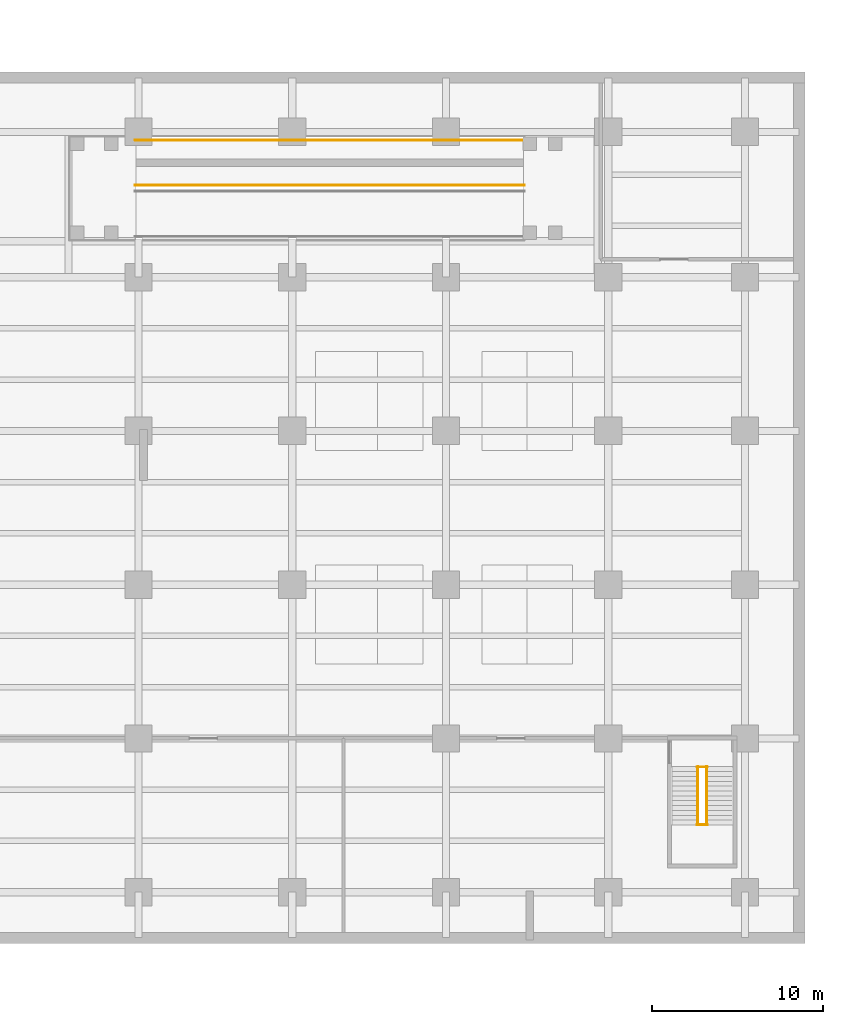
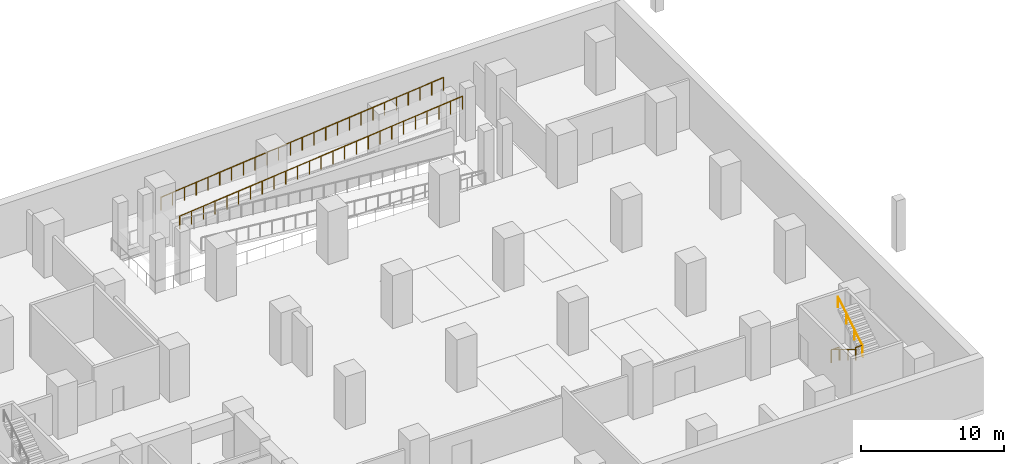
# One storey, part 10 of 10: 6 railings.
"""IFC4 building model written with IfcOpenShell, lengths in metres."""

import ifcopenshell
import ifcopenshell.guid

model = None  # the IFC model being written
_history = None  # IfcOwnerHistory: only IFC2X3 demands one
_inside = {}  # id of a spatial element -> (the spatial element, [elements in it])
_under = {}  # id of a project, library or spatial element -> (it, [spatial elements below it])
_declared = {}  # id of a project -> (the project, [libraries it declares])
_typed = {}  # id of a type object -> (the type object, [elements of that type])
_made_of = {}  # id of a material, layer set ... -> (it, [elements and type objects made of it])


def new_model(schema):
    """Start an empty IFC model of exactly this schema.

    Asked for "IFC4X3", IfcOpenShell would pick the latest addendum, in which some entities
    have other attributes; the version numbers below select the first issue.
    IFC2X3 requires an IfcOwnerHistory on every rooted entity: one is made here for all.
    """
    global model, _history
    if schema == "IFC4X3":
        model = ifcopenshell.file(schema_version=(4, 3, 0, 0))
    else:
        model = ifcopenshell.file(schema=schema)
    _inside.clear()
    _under.clear()
    _declared.clear()
    _typed.clear()
    _made_of.clear()
    _history = None
    if model.schema == "IFC2X3":
        org = make("IfcOrganization", Name="unknown")
        user = make(
            "IfcPersonAndOrganization",
            ThePerson=make("IfcPerson", FamilyName="unknown"),
            TheOrganization=org,
        )
        app = make(
            "IfcApplication",
            ApplicationDeveloper=org,
            Version="unknown",
            ApplicationFullName="unknown",
            ApplicationIdentifier="unknown",
        )
        _history = make(
            "IfcOwnerHistory",
            OwningUser=user,
            OwningApplication=app,
            ChangeAction="ADDED",
            CreationDate=0,
        )
    return model


def make(cls, **values):
    """One entity of the class cls with the attributes given. An attribute that is None is left unset."""
    return model.create_entity(
        cls, **{name: value for name, value in values.items() if value is not None}
    )


def rooted(cls, **values):
    """An entity with a GlobalId (a new one), such as an element, a storey or a relation."""
    return make(cls, GlobalId=ifcopenshell.guid.new(), OwnerHistory=_history, **values)


def si_unit(unit_type, name, prefix=None):
    """IfcSIUnit, for example si_unit("LENGTHUNIT", "METRE", prefix="MILLI")."""
    return make("IfcSIUnit", UnitType=unit_type, Prefix=prefix, Name=name)


def assignment(units):
    """IfcUnitAssignment: the units of a project."""
    return None if units is None else make("IfcUnitAssignment", Units=units)


def point(xyz):
    """IfcCartesianPoint."""
    return None if xyz is None else make("IfcCartesianPoint", Coordinates=xyz)


def direction(xyz):
    """IfcDirection."""
    return None if xyz is None else make("IfcDirection", DirectionRatios=xyz)


def frame(location, z_axis=None, x_axis=None):
    """IfcAxis2Placement3D, a coordinate frame: its origin and axes. An axis left out is left unset."""
    return make(
        "IfcAxis2Placement3D",
        Location=point(location),
        Axis=direction(z_axis),
        RefDirection=direction(x_axis),
    )


def frame_2d(location, x_axis=None):
    """IfcAxis2Placement2D, a coordinate frame in the plane: its origin and x axis."""
    return make(
        "IfcAxis2Placement2D", Location=point(location), RefDirection=direction(x_axis)
    )


def origin():
    """The frame at (0, 0, 0) with its axes left unset."""
    return frame((0.0, 0.0, 0.0))


def origin_2d():
    """The frame at (0, 0) in the plane with its x axis left unset."""
    return frame_2d((0.0, 0.0))


def place(relative_to, where):
    """IfcLocalPlacement: puts the frame where relative to a parent placement (None: the world)."""
    return make(
        "IfcLocalPlacement", PlacementRelTo=relative_to, RelativePlacement=where
    )


def context(
    kind, dimensions, precision=None, world=None, true_north=None, identifier=None
):
    """IfcGeometricRepresentationContext, for example the 3D "Model" context."""
    return make(
        "IfcGeometricRepresentationContext",
        ContextIdentifier=identifier,
        ContextType=kind,
        CoordinateSpaceDimension=dimensions,
        Precision=precision,
        WorldCoordinateSystem=world,
        TrueNorth=true_north,
    )


def subcontext(parent, identifier, kind, view, scale=None):
    """IfcGeometricRepresentationSubContext, for example "Body" below "Model"."""
    return make(
        "IfcGeometricRepresentationSubContext",
        ContextIdentifier=identifier,
        ContextType=kind,
        ParentContext=parent,
        TargetScale=scale,
        TargetView=view,
    )


def project(units=None, contexts=None):
    """IfcProject with its units and contexts."""
    return rooted(
        "IfcProject",
        Name="project",
        RepresentationContexts=contexts,
        UnitsInContext=assignment(units),
    )


def spatial(cls, under=None, at=None, **own):
    """A site, building, storey or space (cls), placed at a placement, below another one or the project."""
    s = rooted(cls, ObjectPlacement=at, **own)
    if under is not None:
        _under.setdefault(under.id(), (under, []))[1].append(s)
    return s


def profile(cls, at=None, kind="AREA", **sizes):
    """A parametric profile (cls). Its sizes go by their IFC names, for example OverallWidth=200.0."""
    return make(cls, ProfileType=kind, Position=at, **sizes)


def circle(**sizes):
    """IfcCircleProfileDef."""
    return profile("IfcCircleProfileDef", **sizes)


def extrude(swept, where, along, depth):
    """IfcExtrudedAreaSolid: the profile swept, set in the frame where, extruded along a direction by depth."""
    return make(
        "IfcExtrudedAreaSolid",
        SweptArea=swept,
        Position=where,
        ExtrudedDirection=direction(along),
        Depth=depth,
    )


def shape(context_of_items, identifier, shape_type, items):
    """IfcShapeRepresentation: the items that make up one representation, for example the "Body"."""
    return make(
        "IfcShapeRepresentation",
        ContextOfItems=context_of_items,
        RepresentationIdentifier=identifier,
        RepresentationType=shape_type,
        Items=items,
    )


def material(Name=None, Category=None):
    """IfcMaterial."""
    return make("IfcMaterial", Name=Name, Category=Category)


def made_of(thing, what):
    """Note that an element or type object is made of a material, layer set ...; save() writes the relation."""
    if what is not None:
        _made_of.setdefault(what.id(), (what, []))[1].append(thing)
    return thing


def type_object(cls, material=None, **own):
    """A type object (cls), such as IfcWallType, which elements share."""
    return made_of(rooted(cls, **own), material)


def element(
    cls,
    number,
    at=None,
    inside=None,
    cuts=None,
    type_object=None,
    material=None,
    context=None,
    identifier="Body",
    shape_type=None,
    held_by="IfcProductDefinitionShape",
    body=None,
    shapes=None,
    **own,
):
    """One element of the class cls, such as IfcWall. Its Tag is "e" and its number.

    at: its placement. inside: the storey or other place that contains it. cuts: it is an
    opening in that element (IfcRelVoidsElement). A single representation is given by context,
    identifier, shape_type and body (its items); several are given by shapes. held_by: the class
    of the entity that holds the representations. save() writes the other relations.
    """
    e = rooted(cls, Tag="e%d" % number, ObjectPlacement=at, **own)
    if body is not None:
        shapes = [shape(context, identifier, shape_type, body)]
    if shapes is not None:
        e.Representation = make(held_by, Representations=shapes)
    if inside is not None:
        _inside.setdefault(inside.id(), (inside, []))[1].append(e)
    if cuts is not None:
        rooted(
            "IfcRelVoidsElement", RelatingBuildingElement=cuts, RelatedOpeningElement=e
        )
    if type_object is not None:
        _typed.setdefault(type_object.id(), (type_object, []))[1].append(e)
    return made_of(e, material)


def aggregate(whole, parts):
    """IfcRelAggregates: a whole, such as a stair, and the parts it consists of."""
    return rooted("IfcRelAggregates", RelatingObject=whole, RelatedObjects=parts)


def save(model, path):
    """Write the relations noted so far, then the file.

    IfcRelAggregates (storeys below a building ...), IfcRelContainedInSpatialStructure (elements
    in a storey), IfcRelDefinesByType, IfcRelAssociatesMaterial and IfcRelDeclares: one each for
    every whole, place, type object, material and project.
    """
    for whole, parts in _under.values():
        aggregate(whole, parts)
    for where, things in _inside.values():
        rooted(
            "IfcRelContainedInSpatialStructure",
            RelatedElements=things,
            RelatingStructure=where,
        )
    for kind, things in _typed.values():
        rooted("IfcRelDefinesByType", RelatedObjects=things, RelatingType=kind)
    for what, things in _made_of.values():
        rooted("IfcRelAssociatesMaterial", RelatedObjects=things, RelatingMaterial=what)
    for by, libraries in _declared.values():
        rooted("IfcRelDeclares", RelatingContext=by, RelatedDefinitions=libraries)
    model.write(path)


model = new_model("IFC4")

# Units and contexts
model_context = context("Model", 3, precision=1e-05, world=origin(), true_north=direction((0.0, 1.0)))
body_context = subcontext(model_context, "Body", "Model", "MODEL_VIEW")
ifc_project = project(units=[si_unit("LENGTHUNIT", "METRE"), si_unit("AREAUNIT", "SQUARE_METRE"), si_unit("VOLUMEUNIT", "CUBIC_METRE"), si_unit("PLANEANGLEUNIT", "RADIAN"), si_unit("MASSUNIT", "GRAM", prefix="KILO")], contexts=[model_context])

# Site, building, storey
site_placement = place(None, origin())
site = spatial("IfcSite", under=ifc_project, at=site_placement, CompositionType="ELEMENT")
building_placement = place(site_placement, origin())
building = spatial("IfcBuilding", under=site, at=building_placement, Name="Mawjdan Bourse Tower", CompositionType="ELEMENT")
storey_placement = place(building_placement, frame((0.0, 0.0, -4.5)))
storey = spatial("IfcBuildingStorey", under=building, at=storey_placement, Name="B01", CompositionType="ELEMENT", Elevation=-4.5)

# Railings
ifc_material_1 = material(Name="Structural Steel S355", Category="steel")
railing_type_1 = type_object("IfcRailingType", Name="RLG-GRD-1100", PredefinedType="GUARDRAIL", material=ifc_material_1)
for number, where, name in (
    (1, (65.68994140625, 6.949951171875, 2.25), "B01 ST6 Landing Guardrail GL-MID"),
    (2, (65.68994140625, 10.330078125, 0.0), "B01 ST6 Landing Guardrail GL-BOT"),
):
    element("IfcRailing", number, at=place(storey_placement, frame(where)), inside=storey, type_object=railing_type_1, Name=name, PredefinedType="GUARDRAIL", context=body_context, shape_type="SweptSolid", body=[
        extrude(circle(Radius=0.02490234375, at=origin_2d()), frame((0.0, 0.0, 1.0751953125), z_axis=(1.0, 0.0, 0.0), x_axis=(0.0, 1.0, 0.0)), (0.0, 0.0, 1.0), 0.6201171875),
        extrude(circle(Radius=0.02099609375, at=origin_2d()), origin(), (0.0, 0.0, 1.0), 1.050048828125),
        extrude(circle(Radius=0.02099609375, at=origin_2d()), frame((0.6201171875, 0.0, 0.0)), (0.0, 0.0, 1.0), 1.050048828125),
    ])
railing_1_placement = place(storey_placement, frame((32.800048828125, 44.3798828125, 2.2548828125)))
element("IfcRailing", 3, at=railing_1_placement, inside=storey, type_object=railing_type_1, Name="B01 Vehicle Ramp Flight 2 South Guardrail", PredefinedType="GUARDRAIL", context=body_context, shape_type="SweptSolid", body=[
    extrude(circle(Radius=0.02490234375, at=origin_2d()), frame((0.0, 0.0, 1.09521484375), z_axis=(0.995207073192, 0.0, 0.097789986546), x_axis=(0.0, 1.0, 0.0)), (0.0, 0.0, 1.0), 2.863525390625),
    extrude(circle(Radius=0.02490234375, at=origin_2d()), frame((2.849853515625, 0.0, 1.375), z_axis=(0.995207888393, 0.0, 0.097781689908), x_axis=(0.0, 1.0, 0.0)), (0.0, 0.0, 1.0), 2.86376953125),
    extrude(circle(Radius=0.02490234375, at=origin_2d()), frame((5.699951171875, 0.0, 1.6552734375), z_axis=(0.995207888393, 0.0, 0.097781689908), x_axis=(0.0, 1.0, 0.0)), (0.0, 0.0, 1.0), 2.86376953125),
    extrude(circle(Radius=0.02490234375, at=origin_2d()), frame((8.550048828125, 0.0, 1.93505859375), z_axis=(0.995207073192, 0.0, 0.097789986546), x_axis=(0.0, 1.0, 0.0)), (0.0, 0.0, 1.0), 2.863525390625),
    extrude(circle(Radius=0.02490234375, at=origin_2d()), frame((11.39990234375, 0.0, 2.21533203125), z_axis=(0.995207888393, 0.0, 0.097781689908), x_axis=(0.0, 1.0, 0.0)), (0.0, 0.0, 1.0), 2.86376953125),
    extrude(circle(Radius=0.02490234375, at=origin_2d()), frame((14.25, 0.0, 2.4951171875), z_axis=(0.995207073192, 0.0, 0.097789986546), x_axis=(0.0, 1.0, 0.0)), (0.0, 0.0, 1.0), 2.863525390625),
    extrude(circle(Radius=0.02490234375, at=origin_2d()), frame((17.099853515625, 0.0, 2.775390625), z_axis=(0.995207888393, 0.0, 0.097781689908), x_axis=(0.0, 1.0, 0.0)), (0.0, 0.0, 1.0), 2.86376953125),
    extrude(circle(Radius=0.02490234375, at=origin_2d()), frame((19.949951171875, 0.0, 3.05517578125), z_axis=(0.995207888393, 0.0, 0.097781689908), x_axis=(0.0, 1.0, 0.0)), (0.0, 0.0, 1.0), 2.86376953125),
    extrude(circle(Radius=0.02197265625, at=origin_2d()), origin(), (0.0, 0.0, 1.0), 1.070068359375),
    extrude(circle(Radius=0.02197265625, at=origin_2d()), frame((0.949951171875, 0.0, 0.09326171875)), (0.0, 0.0, 1.0), 1.070068359375),
    extrude(circle(Radius=0.02197265625, at=origin_2d()), frame((1.89990234375, 0.0, 0.186767578125)), (0.0, 0.0, 1.0), 1.070068359375),
    extrude(circle(Radius=0.02197265625, at=origin_2d()), frame((2.849853515625, 0.0, 0.280029296875)), (0.0, 0.0, 1.0), 1.070068359375),
    extrude(circle(Radius=0.02197265625, at=origin_2d()), frame((3.7998046875, 0.0, 0.373291015625)), (0.0, 0.0, 1.0), 1.070068359375),
    extrude(circle(Radius=0.02197265625, at=origin_2d()), frame((4.75, 0.0, 0.466796875)), (0.0, 0.0, 1.0), 1.070068359375),
    extrude(circle(Radius=0.02197265625, at=origin_2d()), frame((5.699951171875, 0.0, 0.56005859375)), (0.0, 0.0, 1.0), 1.070068359375),
    extrude(circle(Radius=0.02197265625, at=origin_2d()), frame((6.64990234375, 0.0, 0.6533203125)), (0.0, 0.0, 1.0), 1.070068359375),
    extrude(circle(Radius=0.02197265625, at=origin_2d()), frame((7.60009765625, 0.0, 0.746826171875)), (0.0, 0.0, 1.0), 1.070068359375),
    extrude(circle(Radius=0.02197265625, at=origin_2d()), frame((8.550048828125, 0.0, 0.840087890625)), (0.0, 0.0, 1.0), 1.070068359375),
    extrude(circle(Radius=0.02197265625, at=origin_2d()), frame((9.5, 0.0, 0.933349609375)), (0.0, 0.0, 1.0), 1.070068359375),
    extrude(circle(Radius=0.02197265625, at=origin_2d()), frame((10.449951171875, 0.0, 1.02685546875)), (0.0, 0.0, 1.0), 1.070068359375),
    extrude(circle(Radius=0.02197265625, at=origin_2d()), frame((11.39990234375, 0.0, 1.1201171875)), (0.0, 0.0, 1.0), 1.070068359375),
    extrude(circle(Radius=0.02197265625, at=origin_2d()), frame((12.349853515625, 0.0, 1.21337890625)), (0.0, 0.0, 1.0), 1.070068359375),
    extrude(circle(Radius=0.02197265625, at=origin_2d()), frame((13.300048828125, 0.0, 1.306884765625)), (0.0, 0.0, 1.0), 1.070068359375),
    extrude(circle(Radius=0.02197265625, at=origin_2d()), frame((14.25, 0.0, 1.400146484375)), (0.0, 0.0, 1.0), 1.070068359375),
    extrude(circle(Radius=0.02197265625, at=origin_2d()), frame((15.199951171875, 0.0, 1.493408203125)), (0.0, 0.0, 1.0), 1.070068359375),
    extrude(circle(Radius=0.02197265625, at=origin_2d()), frame((16.14990234375, 0.0, 1.5869140625)), (0.0, 0.0, 1.0), 1.070068359375),
    extrude(circle(Radius=0.02197265625, at=origin_2d()), frame((17.099853515625, 0.0, 1.68017578125)), (0.0, 0.0, 1.0), 1.070068359375),
    extrude(circle(Radius=0.02197265625, at=origin_2d()), frame((18.0498046875, 0.0, 1.7734375)), (0.0, 0.0, 1.0), 1.070068359375),
    extrude(circle(Radius=0.02197265625, at=origin_2d()), frame((19.0, 0.0, 1.866943359375)), (0.0, 0.0, 1.0), 1.070068359375),
    extrude(circle(Radius=0.02197265625, at=origin_2d()), frame((19.949951171875, 0.0, 1.960205078125)), (0.0, 0.0, 1.0), 1.070068359375),
    extrude(circle(Radius=0.02197265625, at=origin_2d()), frame((20.89990234375, 0.0, 2.053466796875)), (0.0, 0.0, 1.0), 1.070068359375),
    extrude(circle(Radius=0.02197265625, at=origin_2d()), frame((21.85009765625, 0.0, 2.14697265625)), (0.0, 0.0, 1.0), 1.070068359375),
    extrude(circle(Radius=0.02197265625, at=origin_2d()), frame((22.800048828125, 0.0, 2.240234375)), (0.0, 0.0, 1.0), 1.070068359375),
])
railing_2_placement = place(storey_placement, frame((32.800048828125, 47.02001953125, 2.2548828125)))
element("IfcRailing", 4, at=railing_2_placement, inside=storey, type_object=railing_type_1, Name="B01 Vehicle Ramp Flight 2 North Guardrail", PredefinedType="GUARDRAIL", context=body_context, shape_type="SweptSolid", body=[
    extrude(circle(Radius=0.02490234375, at=origin_2d()), frame((0.0, 0.0, 1.09521484375), z_axis=(0.995207073192, 0.0, 0.097789986546), x_axis=(0.0, 1.0, 0.0)), (0.0, 0.0, 1.0), 2.863525390625),
    extrude(circle(Radius=0.02490234375, at=origin_2d()), frame((2.849853515625, 0.0, 1.375), z_axis=(0.995207888393, 0.0, 0.097781689908), x_axis=(0.0, 1.0, 0.0)), (0.0, 0.0, 1.0), 2.86376953125),
    extrude(circle(Radius=0.02490234375, at=origin_2d()), frame((5.699951171875, 0.0, 1.6552734375), z_axis=(0.995207888393, 0.0, 0.097781689908), x_axis=(0.0, 1.0, 0.0)), (0.0, 0.0, 1.0), 2.86376953125),
    extrude(circle(Radius=0.02490234375, at=origin_2d()), frame((8.550048828125, 0.0, 1.93505859375), z_axis=(0.995207073192, 0.0, 0.097789986546), x_axis=(0.0, 1.0, 0.0)), (0.0, 0.0, 1.0), 2.863525390625),
    extrude(circle(Radius=0.02490234375, at=origin_2d()), frame((11.39990234375, 0.0, 2.21533203125), z_axis=(0.995207888393, 0.0, 0.097781689908), x_axis=(0.0, 1.0, 0.0)), (0.0, 0.0, 1.0), 2.86376953125),
    extrude(circle(Radius=0.02490234375, at=origin_2d()), frame((14.25, 0.0, 2.4951171875), z_axis=(0.995207073192, 0.0, 0.097789986546), x_axis=(0.0, 1.0, 0.0)), (0.0, 0.0, 1.0), 2.863525390625),
    extrude(circle(Radius=0.02490234375, at=origin_2d()), frame((17.099853515625, 0.0, 2.775390625), z_axis=(0.995207888393, 0.0, 0.097781689908), x_axis=(0.0, 1.0, 0.0)), (0.0, 0.0, 1.0), 2.86376953125),
    extrude(circle(Radius=0.02490234375, at=origin_2d()), frame((19.949951171875, 0.0, 3.05517578125), z_axis=(0.995207888393, 0.0, 0.097781689908), x_axis=(0.0, 1.0, 0.0)), (0.0, 0.0, 1.0), 2.86376953125),
    extrude(circle(Radius=0.02197265625, at=origin_2d()), origin(), (0.0, 0.0, 1.0), 1.070068359375),
    extrude(circle(Radius=0.02197265625, at=origin_2d()), frame((0.949951171875, 0.0, 0.09326171875)), (0.0, 0.0, 1.0), 1.070068359375),
    extrude(circle(Radius=0.02197265625, at=origin_2d()), frame((1.89990234375, 0.0, 0.186767578125)), (0.0, 0.0, 1.0), 1.070068359375),
    extrude(circle(Radius=0.02197265625, at=origin_2d()), frame((2.849853515625, 0.0, 0.280029296875)), (0.0, 0.0, 1.0), 1.070068359375),
    extrude(circle(Radius=0.02197265625, at=origin_2d()), frame((3.7998046875, 0.0, 0.373291015625)), (0.0, 0.0, 1.0), 1.070068359375),
    extrude(circle(Radius=0.02197265625, at=origin_2d()), frame((4.75, 0.0, 0.466796875)), (0.0, 0.0, 1.0), 1.070068359375),
    extrude(circle(Radius=0.02197265625, at=origin_2d()), frame((5.699951171875, 0.0, 0.56005859375)), (0.0, 0.0, 1.0), 1.070068359375),
    extrude(circle(Radius=0.02197265625, at=origin_2d()), frame((6.64990234375, 0.0, 0.6533203125)), (0.0, 0.0, 1.0), 1.070068359375),
    extrude(circle(Radius=0.02197265625, at=origin_2d()), frame((7.60009765625, 0.0, 0.746826171875)), (0.0, 0.0, 1.0), 1.070068359375),
    extrude(circle(Radius=0.02197265625, at=origin_2d()), frame((8.550048828125, 0.0, 0.840087890625)), (0.0, 0.0, 1.0), 1.070068359375),
    extrude(circle(Radius=0.02197265625, at=origin_2d()), frame((9.5, 0.0, 0.933349609375)), (0.0, 0.0, 1.0), 1.070068359375),
    extrude(circle(Radius=0.02197265625, at=origin_2d()), frame((10.449951171875, 0.0, 1.02685546875)), (0.0, 0.0, 1.0), 1.070068359375),
    extrude(circle(Radius=0.02197265625, at=origin_2d()), frame((11.39990234375, 0.0, 1.1201171875)), (0.0, 0.0, 1.0), 1.070068359375),
    extrude(circle(Radius=0.02197265625, at=origin_2d()), frame((12.349853515625, 0.0, 1.21337890625)), (0.0, 0.0, 1.0), 1.070068359375),
    extrude(circle(Radius=0.02197265625, at=origin_2d()), frame((13.300048828125, 0.0, 1.306884765625)), (0.0, 0.0, 1.0), 1.070068359375),
    extrude(circle(Radius=0.02197265625, at=origin_2d()), frame((14.25, 0.0, 1.400146484375)), (0.0, 0.0, 1.0), 1.070068359375),
    extrude(circle(Radius=0.02197265625, at=origin_2d()), frame((15.199951171875, 0.0, 1.493408203125)), (0.0, 0.0, 1.0), 1.070068359375),
    extrude(circle(Radius=0.02197265625, at=origin_2d()), frame((16.14990234375, 0.0, 1.5869140625)), (0.0, 0.0, 1.0), 1.070068359375),
    extrude(circle(Radius=0.02197265625, at=origin_2d()), frame((17.099853515625, 0.0, 1.68017578125)), (0.0, 0.0, 1.0), 1.070068359375),
    extrude(circle(Radius=0.02197265625, at=origin_2d()), frame((18.0498046875, 0.0, 1.7734375)), (0.0, 0.0, 1.0), 1.070068359375),
    extrude(circle(Radius=0.02197265625, at=origin_2d()), frame((19.0, 0.0, 1.866943359375)), (0.0, 0.0, 1.0), 1.070068359375),
    extrude(circle(Radius=0.02197265625, at=origin_2d()), frame((19.949951171875, 0.0, 1.960205078125)), (0.0, 0.0, 1.0), 1.070068359375),
    extrude(circle(Radius=0.02197265625, at=origin_2d()), frame((20.89990234375, 0.0, 2.053466796875)), (0.0, 0.0, 1.0), 1.070068359375),
    extrude(circle(Radius=0.02197265625, at=origin_2d()), frame((21.85009765625, 0.0, 2.14697265625)), (0.0, 0.0, 1.0), 1.070068359375),
    extrude(circle(Radius=0.02197265625, at=origin_2d()), frame((22.800048828125, 0.0, 2.240234375)), (0.0, 0.0, 1.0), 1.070068359375),
])
ifc_material_2 = material(Name="Brushed Stainless Steel", Category="steel")
railing_type_2 = type_object("IfcRailingType", Name="RLG-HND-920", PredefinedType="HANDRAIL", material=ifc_material_2)
railing_3_placement = place(storey_placement, frame((65.739990234375, 10.35009765625, 0.173095703125)))
element("IfcRailing", 5, at=railing_3_placement, inside=storey, type_object=railing_type_2, Name="B01 ST6 Flight Handrail HR1", PredefinedType="HANDRAIL", context=body_context, shape_type="SweptSolid", body=[
    extrude(circle(Radius=0.0224609375, at=origin_2d()), frame((0.0, 0.0, 0.8974609375), z_axis=(0.0, -0.854745945586, 0.519046595696), x_axis=(1.0, 0.0, 0.0)), (0.0, 0.0, 1.0), 4.00146484375),
    extrude(circle(Radius=0.01904296875, at=origin_2d()), origin(), (0.0, 0.0, 1.0), 0.875),
    extrude(circle(Radius=0.01904296875, at=origin_2d()), frame((0.0, -1.14013671875, 0.6923828125)), (0.0, 0.0, 1.0), 0.875),
    extrude(circle(Radius=0.01904296875, at=origin_2d()), frame((0.0, -2.280029296875, 1.384521484375)), (0.0, 0.0, 1.0), 0.875),
    extrude(circle(Radius=0.01904296875, at=origin_2d()), frame((0.0, -3.420166015625, 2.076904296875)), (0.0, 0.0, 1.0), 0.875),
])
railing_4_placement = place(storey_placement, frame((66.260009765625, 6.929931640625, 2.423095703125)))
element("IfcRailing", 6, at=railing_4_placement, inside=storey, type_object=railing_type_2, Name="B01 ST6 Flight Handrail HR2", PredefinedType="HANDRAIL", context=body_context, shape_type="SweptSolid", body=[
    extrude(circle(Radius=0.0224609375, at=origin_2d()), frame((0.0, 0.0, 0.8974609375), z_axis=(0.0, 0.854745945586, 0.519046595696), x_axis=(-1.0, 0.0, 0.0)), (0.0, 0.0, 1.0), 4.00146484375),
    extrude(circle(Radius=0.01904296875, at=origin_2d()), origin(), (0.0, 0.0, 1.0), 0.875),
    extrude(circle(Radius=0.01904296875, at=origin_2d()), frame((0.0, 1.14013671875, 0.6923828125)), (0.0, 0.0, 1.0), 0.875),
    extrude(circle(Radius=0.01904296875, at=origin_2d()), frame((0.0, 2.280029296875, 1.384521484375)), (0.0, 0.0, 1.0), 0.875),
    extrude(circle(Radius=0.01904296875, at=origin_2d()), frame((0.0, 3.420166015625, 2.076904296875)), (0.0, 0.0, 1.0), 0.875),
])

save(model, "model.ifc")
